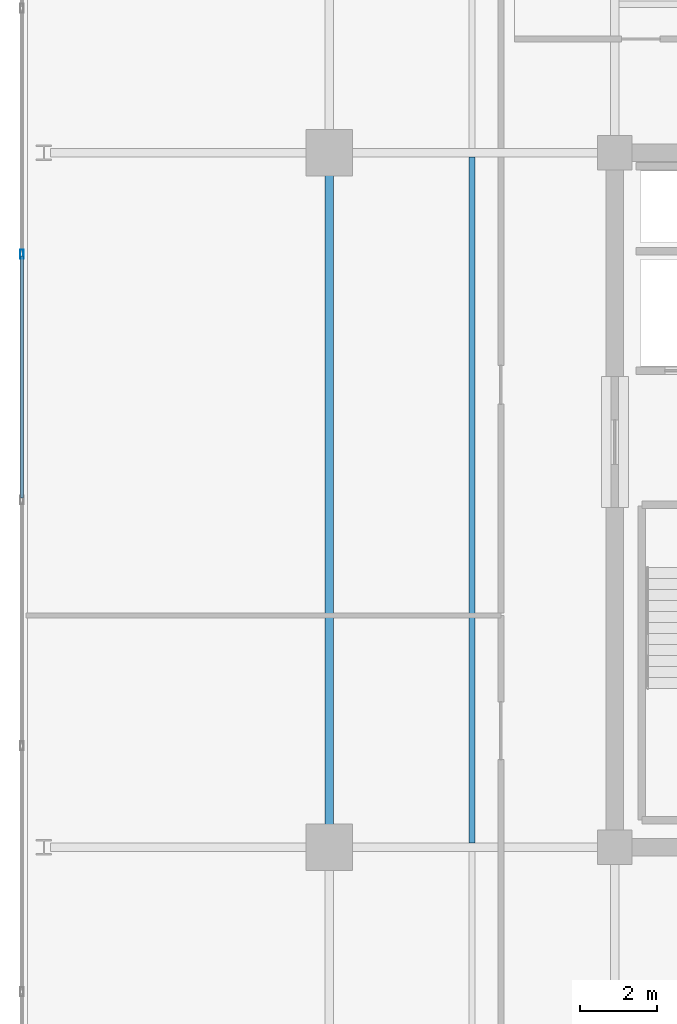
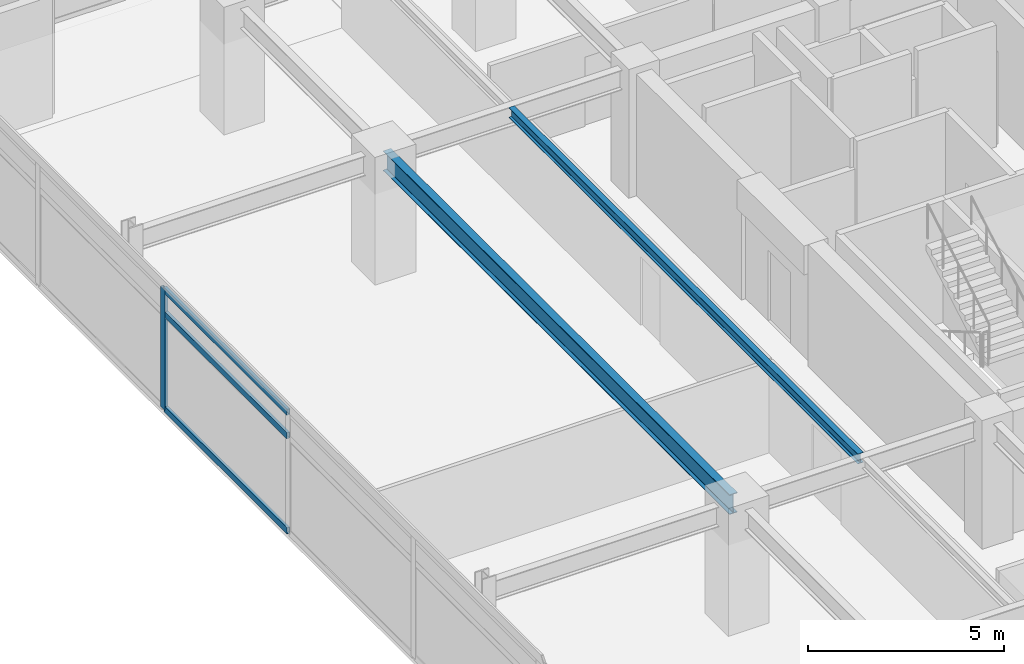
# One storey, part 5 of 24: 4 members, 2 beams, 1 element without a shape of its own.
"""IFC4 building model written with IfcOpenShell, lengths in metres."""

from ifc_helpers import new_model, si_unit, direction, frame, origin, origin_2d, place, context, subcontext, project, spatial, hollow_rectangle, i_section, extrude, material, material_profile, profile_set, type_object, element, aggregate, save


model = new_model("IFC4")

# Units and contexts
model_context = context("Model", 3, precision=1e-05, world=origin(), true_north=direction((0.0, 1.0)))
body_context = subcontext(model_context, "Body", "Model", "MODEL_VIEW")
ifc_project = project(units=[si_unit("LENGTHUNIT", "METRE"), si_unit("AREAUNIT", "SQUARE_METRE"), si_unit("VOLUMEUNIT", "CUBIC_METRE"), si_unit("PLANEANGLEUNIT", "RADIAN"), si_unit("MASSUNIT", "GRAM", prefix="KILO")], contexts=[model_context])

# Site, building, storey
site_placement = place(None, origin())
site = spatial("IfcSite", under=ifc_project, at=site_placement, CompositionType="ELEMENT")
building_placement = place(site_placement, origin())
building = spatial("IfcBuilding", under=site, at=building_placement, Name="Kovane Verandah Tower", CompositionType="ELEMENT")
storey_placement = place(building_placement, frame((0.0, 0.0, 259.199951171875)))
storey = spatial("IfcBuildingStorey", under=building, at=storey_placement, Name="L60", CompositionType="ELEMENT", Elevation=259.199951171875)

# Beam
ifc_material_1 = material(Name="Steel S355", Category="steel")
ifc_material_profile_1 = material_profile(ifc_material_1, i_section(OverallWidth=0.230224609375, OverallDepth=0.6171875, WebThickness=0.01318359375, FlangeThickness=0.022216796875, FilletRadius=0.0126953125, at=origin_2d()), Name="UB610x229x140")
ifc_profile_set_1 = profile_set([ifc_material_profile_1], Name="Steel S355")
beam_type_1 = type_object("IfcBeamType", Name="BM-UB610x140", PredefinedType="BEAM", material=ifc_profile_set_1)
beam_1_placement = place(storey_placement, frame((21.60009765625, 18.679931640625, 3.4765625), z_axis=(0.0, 1.0, 0.0), x_axis=(-1.0, 0.0, 0.0)))
element("IfcBeam", 1, at=beam_1_placement, inside=storey, type_object=beam_type_1, Name="L60 Primary Tower Girder G-RW2", PredefinedType="BEAM", context=body_context, shape_type="SweptSolid", body=[
    extrude(i_section(OverallWidth=0.230224609375, OverallDepth=0.6171875, WebThickness=0.01318359375, FlangeThickness=0.022216796875, FilletRadius=0.0126953125, at=origin_2d()), origin(), (0.0, 0.0, 1.0), 17.64013671875),
])

# Curtain wall, members
ifc_material_2 = material(Name="Champagne Anodised Aluminium Frame with Low-E Clear Laminated Glass", Category="aluminium")
curtain_wall_type = type_object("IfcCurtainWallType", Name="CW-SYS-05-HIGH", PredefinedType="NOTDEFINED", material=ifc_material_2)
curtain_wall_placement = place(storey_placement, origin())
curtain_wall = element("IfcCurtainWall", 2, at=curtain_wall_placement, inside=storey, type_object=curtain_wall_type, Name="L60 W Unitised Curtain Wall", PredefinedType="NOTDEFINED")
ifc_material_3 = material(Name="Champagne Anodised Aluminium 6063-T6", Category="aluminium")
ifc_material_profile_2 = material_profile(ifc_material_3, hollow_rectangle(XDim=0.0849609375, YDim=0.22998046875, WallThickness=0.00390625, at=origin_2d()), Name="AL85x230x4")
ifc_profile_set_2 = profile_set([ifc_material_profile_2], Name="Champagne Anodised Aluminium 6063-T6")
member_type_1 = type_object("IfcMemberType", Name="CW-MUL-85x230", PredefinedType="MULLION", material=ifc_profile_set_2)
member_1_placement = place(storey_placement, frame((13.633544921875, 33.872802734375, 0.02001953125), z_axis=(0.0, 0.0, 1.0), x_axis=(-1.0, 0.0, 0.0)))
member_1 = element("IfcMember", 3, at=member_1_placement, type_object=member_type_1, Name="L60 W Unitised Curtain Wall Mullion 3", PredefinedType="MULLION", context=body_context, shape_type="SweptSolid", body=[
    extrude(hollow_rectangle(XDim=0.0849609375, YDim=0.22998046875, WallThickness=0.00390625, at=origin_2d()), origin(), (0.0, 0.0, 1.0), 3.7451171875),
])
ifc_material_profile_3 = material_profile(ifc_material_3, hollow_rectangle(XDim=0.0849609375, YDim=0.18994140625, WallThickness=0.00390625, at=origin_2d()), Name="AL85x190x4")
ifc_profile_set_3 = profile_set([ifc_material_profile_3], Name="Champagne Anodised Aluminium 6063-T6")
member_type_2 = type_object("IfcMemberType", Name="CW-TRN-85x190", PredefinedType="USERDEFINED", material=ifc_profile_set_3)
member_2_placement = place(storey_placement, frame((13.633544921875, 33.82275390625, 0.050048828125), z_axis=(0.0, -1.0, 0.0), x_axis=(1.0, 0.0, 0.0)))
member_2 = element("IfcMember", 4, at=member_2_placement, type_object=member_type_2, Name="L60 W Unitised Curtain Wall Transom TB Bay 3", ObjectType="TRANSOM", PredefinedType="USERDEFINED", context=body_context, shape_type="SweptSolid", body=[
    extrude(hollow_rectangle(XDim=0.0849609375, YDim=0.18994140625, WallThickness=0.00390625, at=origin_2d()), origin(), (0.0, 0.0, 1.0), 6.272705078125),
])
member_3_placement = place(storey_placement, frame((13.633544921875, 33.82275390625, 3.005126953125), z_axis=(0.0, -1.0, 0.0), x_axis=(1.0, 0.0, 0.0)))
member_3 = element("IfcMember", 5, at=member_3_placement, type_object=member_type_2, Name="L60 W Unitised Curtain Wall Transom TM Bay 3", ObjectType="TRANSOM", PredefinedType="USERDEFINED", context=body_context, shape_type="SweptSolid", body=[
    extrude(hollow_rectangle(XDim=0.0849609375, YDim=0.18994140625, WallThickness=0.00390625, at=origin_2d()), origin(), (0.0, 0.0, 1.0), 6.272705078125),
])
member_4_placement = place(storey_placement, frame((13.633544921875, 33.82275390625, 3.735107421875), z_axis=(0.0, -1.0, 0.0), x_axis=(1.0, 0.0, 0.0)))
member_4 = element("IfcMember", 6, at=member_4_placement, type_object=member_type_2, Name="L60 W Unitised Curtain Wall Transom TT Bay 3", ObjectType="TRANSOM", PredefinedType="USERDEFINED", context=body_context, shape_type="SweptSolid", body=[
    extrude(hollow_rectangle(XDim=0.0849609375, YDim=0.18994140625, WallThickness=0.00390625, at=origin_2d()), origin(), (0.0, 0.0, 1.0), 6.272705078125),
])
aggregate(curtain_wall, [member_1, member_2, member_3, member_4])

# Beam
ifc_material_profile_4 = material_profile(ifc_material_1, i_section(OverallWidth=0.1669921875, OverallDepth=0.310302734375, WebThickness=0.0078125, FlangeThickness=0.013671875, FilletRadius=0.0087890625, at=origin_2d()), Name="UB305x165x54")
ifc_profile_set_4 = profile_set([ifc_material_profile_4], Name="Steel S355")
beam_type_2 = type_object("IfcBeamType", Name="JST-UB305x54", PredefinedType="JOIST", material=ifc_profile_set_4)
beam_2_placement = place(storey_placement, frame((25.300048828125, 18.613037109375, 3.6298828125), z_axis=(0.0, 1.0, 0.0), x_axis=(-1.0, 0.0, 0.0)))
element("IfcBeam", 7, at=beam_2_placement, inside=storey, type_object=beam_type_2, Name="L60 Secondary Composite Joist J-W1", PredefinedType="JOIST", context=body_context, shape_type="SweptSolid", body=[
    extrude(i_section(OverallWidth=0.1669921875, OverallDepth=0.310302734375, WebThickness=0.0078125, FlangeThickness=0.013671875, FilletRadius=0.0087890625, at=origin_2d()), origin(), (0.0, 0.0, 1.0), 17.77392578125),
])

save(model, "model.ifc")
